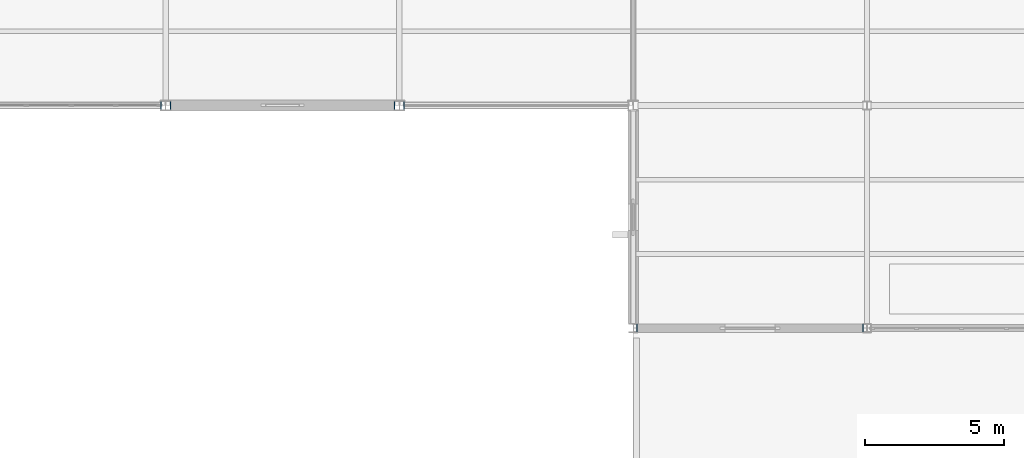
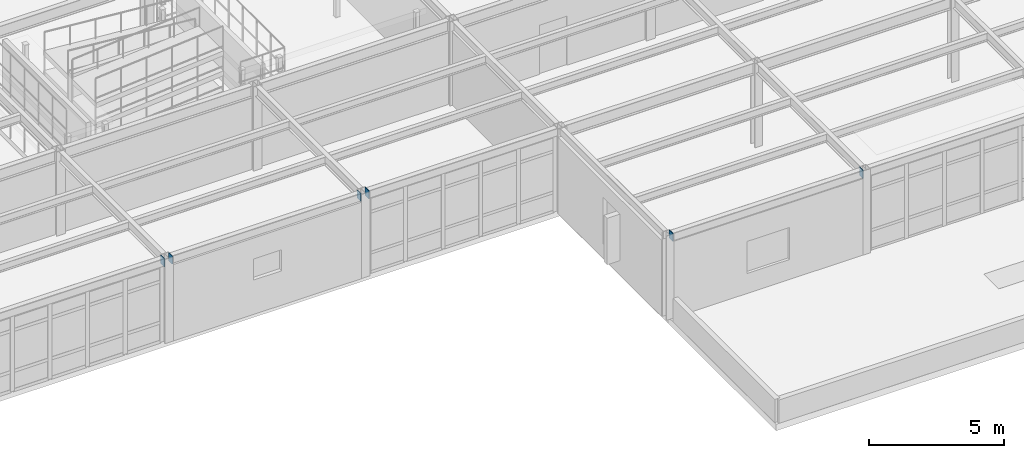
# One storey, part 84 of 138: 6 discrete accessories.
"""IFC4 building model written with IfcOpenShell, lengths in metres."""

from ifc_helpers import new_model, si_unit, direction, frame, origin, origin_2d, place, context, subcontext, project, spatial, rectangle, extrude, material, layer, layer_set, type_object, element, save


model = new_model("IFC4")

# Units and contexts
model_context = context("Model", 3, precision=1e-05, world=origin(), true_north=direction((0.0, 1.0)))
body_context = subcontext(model_context, "Body", "Model", "MODEL_VIEW")
ifc_project = project(units=[si_unit("LENGTHUNIT", "METRE"), si_unit("AREAUNIT", "SQUARE_METRE"), si_unit("VOLUMEUNIT", "CUBIC_METRE"), si_unit("PLANEANGLEUNIT", "RADIAN"), si_unit("MASSUNIT", "GRAM", prefix="KILO")], contexts=[model_context])

# Site, building, storey
site_placement = place(None, origin())
site = spatial("IfcSite", under=ifc_project, at=site_placement, CompositionType="ELEMENT")
building_placement = place(site_placement, origin())
building = spatial("IfcBuilding", under=site, at=building_placement, Name="Kranzveld Transit Interchange", CompositionType="ELEMENT")
storey_placement = place(building_placement, frame((0.0, 0.0, 5.43994140625)))
storey = spatial("IfcBuildingStorey", under=building, at=storey_placement, Name="L01", CompositionType="ELEMENT", Elevation=5.43994140625)

# Discrete accessories
ifc_material = material(Name="Steel S355JR", Category="steel")
ifc_layer = layer(ifc_material, 0.02001953125)
ifc_layer_set = layer_set([ifc_layer], Name="Steel S355JR")
discrete_accessory_type = type_object("IfcDiscreteAccessoryType", Name="Hollow Section End Cap Bracket 20 S355JR", PredefinedType="BRACKET", material=ifc_layer_set)
for number, where, z_axis, x_axis, name in (
    (1, (50.548583984375, 8.0, 3.625), (-1.0, 0.0, 0.0), (0.0, -1.0, 0.0), "Hollow Section End Cap SP-RHS350-1"),
    (2, (58.6513671875, 8.0, 3.625), (1.0, 0.0, 0.0), (0.0, 1.0, 0.0), "Hollow Section End Cap SP-RHS350-2"),
    (3, (33.418701171875, 16.0, 3.625), (1.0, 0.0, 0.0), (0.0, 1.0, 0.0), "Hollow Section End Cap SP-RHS350-2"),
    (4, (33.78125, 16.0, 3.625), (-1.0, 0.0, 0.0), (0.0, -1.0, 0.0), "Hollow Section End Cap SP-RHS350-1"),
    (5, (41.818603515625, 16.0, 3.625), (1.0, 0.0, 0.0), (0.0, 1.0, 0.0), "Hollow Section End Cap SP-RHS350-2"),
    (6, (42.181396484375, 16.0, 3.625), (-1.0, 0.0, 0.0), (0.0, -1.0, 0.0), "Hollow Section End Cap SP-RHS350-1"),
):
    element("IfcDiscreteAccessory", number, at=place(storey_placement, frame(where, z_axis=z_axis, x_axis=x_axis)), inside=storey, type_object=discrete_accessory_type, Name=name, PredefinedType="BRACKET", context=body_context, shape_type="SweptSolid", body=[
        extrude(rectangle(XDim=0.27392578125, YDim=0.3740234375, at=origin_2d()), origin(), (0.0, 0.0, 1.0), 0.02001953125),
    ])

save(model, "model.ifc")
